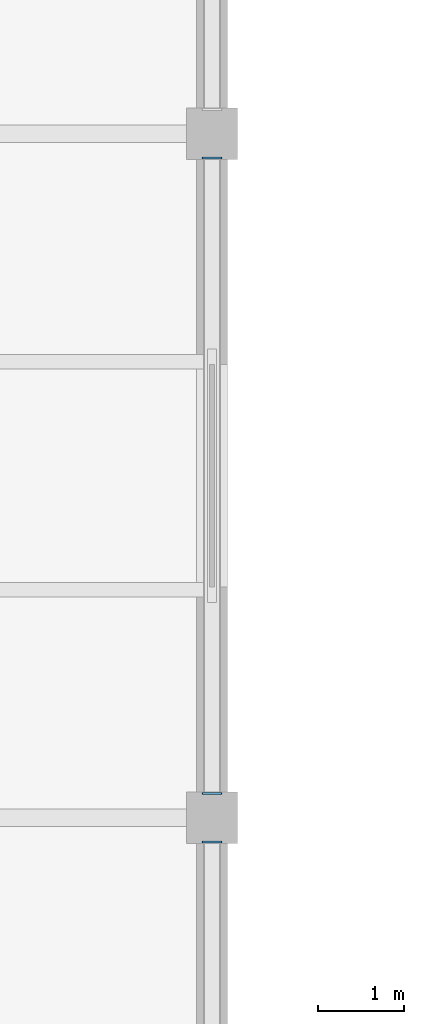
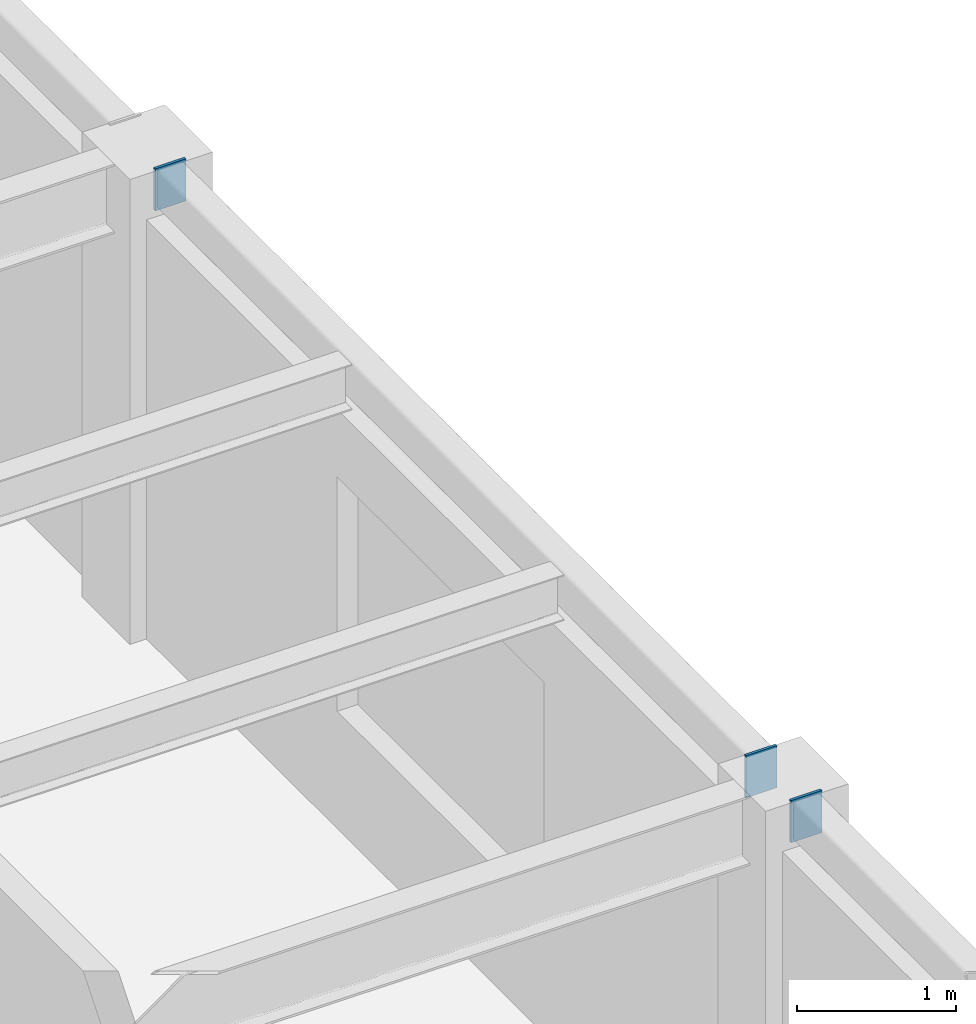
# One storey, part 74 of 96: 3 discrete accessories.
"""IFC4 building model written with IfcOpenShell, lengths in metres."""

from ifc_helpers import new_model, si_unit, direction, frame, origin, origin_2d, place, context, subcontext, project, spatial, rectangle, extrude, material, layer, layer_set, type_object, element, save


model = new_model("IFC4")

# Units and contexts
model_context = context("Model", 3, precision=1e-05, world=origin(), true_north=direction((0.0, 1.0)))
body_context = subcontext(model_context, "Body", "Model", "MODEL_VIEW")
ifc_project = project(units=[si_unit("LENGTHUNIT", "METRE"), si_unit("AREAUNIT", "SQUARE_METRE"), si_unit("VOLUMEUNIT", "CUBIC_METRE"), si_unit("PLANEANGLEUNIT", "RADIAN"), si_unit("MASSUNIT", "GRAM", prefix="KILO")], contexts=[model_context])

# Site, building, storey
site_placement = place(None, origin())
site = spatial("IfcSite", under=ifc_project, at=site_placement, CompositionType="ELEMENT")
building_placement = place(site_placement, origin())
building = spatial("IfcBuilding", under=site, at=building_placement, Name="Kranzveld Transit Interchange", CompositionType="ELEMENT")
storey_placement = place(building_placement, frame((0.0, 0.0, 9.52001953125)))
storey = spatial("IfcBuildingStorey", under=building, at=storey_placement, Name="L02", CompositionType="ELEMENT", Elevation=9.52001953125)

# Discrete accessories
ifc_material = material(Name="Steel S355JR", Category="steel")
ifc_layer = layer(ifc_material, 0.02001953125)
ifc_layer_set = layer_set([ifc_layer], Name="Steel S355JR")
discrete_accessory_type = type_object("IfcDiscreteAccessoryType", Name="Hollow Section End Cap Bracket 20 S355JR", PredefinedType="BRACKET", material=ifc_layer_set)
for number, where, z_axis, x_axis, name in (
    (1, (50.39990234375, 95.7060546875, 3.419921875), (0.0, 1.0, 0.0), (-1.0, 0.0, 0.0), "Hollow Section End Cap SP-RHS300-2"),
    (2, (50.39990234375, 96.2939453125, 3.419921875), (0.0, -1.0, 0.0), (1.0, 0.0, 0.0), "Hollow Section End Cap SP-RHS300-1"),
    (3, (50.39990234375, 103.7060546875, 3.419921875), (0.0, 1.0, 0.0), (-1.0, 0.0, 0.0), "Hollow Section End Cap SP-RHS300-2"),
):
    element("IfcDiscreteAccessory", number, at=place(storey_placement, frame(where, z_axis=z_axis, x_axis=x_axis)), inside=storey, type_object=discrete_accessory_type, Name=name, PredefinedType="BRACKET", context=body_context, shape_type="SweptSolid", body=[
        extrude(rectangle(XDim=0.22412109375, YDim=0.323974609375, at=origin_2d()), origin(), (0.0, 0.0, 1.0), 0.02001953125),
    ])

save(model, "model.ifc")
